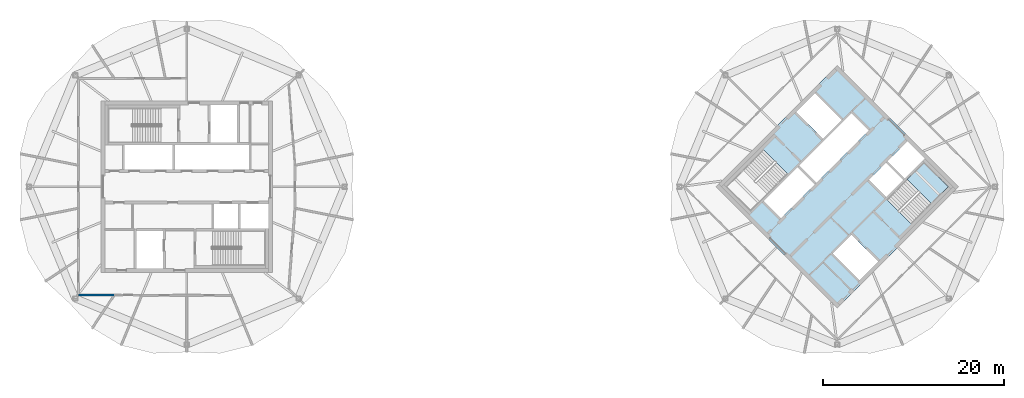
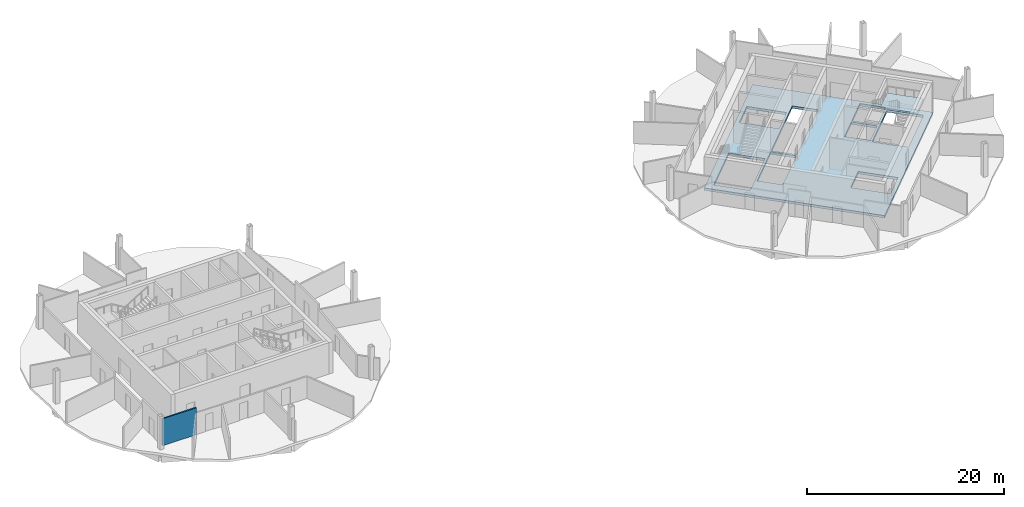
# One storey, part 4 of 11: 2 slabs, 1 wall, 1 element without a shape of its own.
"""IFC4 building model written with IfcOpenShell, lengths in metres."""

from ifc_helpers import new_model, si_unit, direction, frame, frame_2d, origin, place, context, subcontext, project, spatial, polyline, rectangle, outline, extrude, material, layer, layer_set, type_object, element, aggregate, save


model = new_model("IFC4")

# Units and contexts
model_context = context("Model", 3, precision=1e-05, world=origin(), true_north=direction((0.0, 1.0)))
body_context = subcontext(model_context, "Body", "Model", "MODEL_VIEW")
ifc_project = project(units=[si_unit("LENGTHUNIT", "METRE"), si_unit("AREAUNIT", "SQUARE_METRE"), si_unit("VOLUMEUNIT", "CUBIC_METRE"), si_unit("PLANEANGLEUNIT", "RADIAN"), si_unit("MASSUNIT", "GRAM", prefix="KILO")], contexts=[model_context])

# Site, building, storey
site_placement = place(None, origin())
site = spatial("IfcSite", under=ifc_project, at=site_placement, CompositionType="ELEMENT")
building_placement = place(site_placement, origin())
building = spatial("IfcBuilding", under=site, at=building_placement, Name="Ogive Gate Towers", CompositionType="ELEMENT")
storey_placement = place(building_placement, frame((0.0, 0.0, 289.800048828125)))
storey = spatial("IfcBuildingStorey", under=building, at=storey_placement, Name="L68", CompositionType="ELEMENT", Elevation=289.800048828125)

# Slab
ifc_material_1 = material(Name="Concrete C40/50", Category="concrete")
ifc_layer_1 = layer(ifc_material_1, 0.300048828125)
ifc_layer_set_1 = layer_set([ifc_layer_1], Name="Core slab C40/50 300 mm")
slab_type_1 = type_object("IfcSlabType", Name="Core slab C40/50 300 mm", PredefinedType="FLOOR", material=ifc_layer_set_1)
slab_1_placement = place(storey_placement, frame((0.0, 0.0, -0.300048828125)))
element("IfcSlab", 1, at=slab_1_placement, inside=storey, type_object=slab_type_1, Name="T2 L68 core slab", PredefinedType="FLOOR", context=body_context, shape_type="SweptSolid", body=[
    extrude(outline(polyline([(36.0, -13.43505859375), (22.56494140625, 0.0), (36.0, 13.43505859375), (49.43505859375, 0.0), (36.0, -13.43505859375)]), holes=[polyline([(29.777587890625, -3.500244140625), (33.525146484375, 0.24755859375), (31.615966796875, 2.15673828125), (27.868408203125, -1.591064453125), (29.777587890625, -3.500244140625)]), polyline([(31.792724609375, 2.33349609375), (33.701904296875, 0.42431640625), (39.500244140625, 6.222412109375), (37.591064453125, 8.131591796875), (31.792724609375, 2.33349609375)]), polyline([(41.3740234375, 2.651611328125), (39.500244140625, 0.77783203125), (41.409423828125, -1.13134765625), (43.283203125, 0.742431640625), (41.3740234375, 2.651611328125)]), polyline([(45.669677734375, 3.12890625), (43.760498046875, 5.0380859375), (41.55078125, 2.828369140625), (43.4599609375, 0.919189453125), (45.669677734375, 3.12890625)]), polyline([(34.408935546875, 5.30322265625), (36.4951171875, 7.389404296875), (33.542724609375, 10.34130859375), (31.456787109375, 8.255615234375), (34.408935546875, 5.30322265625)]), polyline([(35.5048828125, -7.389404296875), (38.457275390625, -10.34130859375), (40.543212890625, -8.255615234375), (37.591064453125, -5.30322265625), (35.5048828125, -7.389404296875)]), polyline([(26.40087890625, -2.70458984375), (30.512939453125, 1.406982421875), (27.80810546875, 4.11181640625), (23.6962890625, 0.0), (26.40087890625, -2.70458984375)]), polyline([(48.3037109375, 0.0), (45.59912109375, 2.70458984375), (41.487060546875, -1.406982421875), (44.19189453125, -4.11181640625), (48.3037109375, 0.0)])]), origin(), (0.0, 0.0, 1.0), 0.300048828125),
])

# Stair, slab
stair_type = type_object("IfcStairType", Name="Escape stair 1840 wide", PredefinedType="HALF_TURN_STAIR", material=ifc_material_1)
stair_placement = place(storey_placement, origin())
stair = element("IfcStair", 2, at=stair_placement, inside=storey, type_object=stair_type, Name="L68 Escape stair 2", PredefinedType="HALF_TURN_STAIR")
ifc_layer_2 = layer(ifc_material_1, 0.199951171875)
ifc_layer_set_2 = layer_set([ifc_layer_2], Name="Stair landing 200 mm")
slab_type_2 = type_object("IfcSlabType", Name="Stair landing 200 mm", PredefinedType="LANDING", material=ifc_layer_set_2)
slab_2_placement = place(storey_placement, frame((0.0, 0.0, 1.89990234375)))
slab_2 = element("IfcSlab", 3, at=slab_2_placement, type_object=slab_type_2, Name="ST2 landing 1", PredefinedType="LANDING", context=body_context, shape_type="SweptSolid", body=[
    extrude(outline(polyline([(46.413818359375, -1.8896484375), (48.3037109375, 0.0), (45.598876953125, 2.70458984375), (43.709228515625, 0.81494140625), (46.413818359375, -1.8896484375)])), origin(), (0.0, 0.0, 1.0), 0.199951171875),
])
aggregate(stair, [slab_2])

# Wall
ifc_material_2 = material(Name="Gypsum board acoustic partition")
ifc_layer_3 = layer(ifc_material_2, 0.175048828125)
ifc_layer_set_3 = layer_set([ifc_layer_3], Name="Acoustic partition 175")
wall_type = type_object("IfcWallType", Name="Acoustic partition 175", PredefinedType="PARTITIONING", material=ifc_layer_set_3)
wall_placement = place(storey_placement, frame((-47.97998046875, -11.97998046875, 0.0), z_axis=(0.0, 0.0, 1.0), x_axis=(0.999999846665, 0.000553777912, 0.0)))
element("IfcWall", 4, at=wall_placement, inside=storey, type_object=wall_type, Name="Partition T1-L68-028", PredefinedType="PARTITIONING", context=body_context, shape_type="SweptSolid", body=[
    extrude(rectangle(XDim=3.9677734375, YDim=0.175048828125, at=frame_2d((1.98388671875, 0.0))), origin(), (0.0, 0.0, 1.0), 3.349853515625),
])

save(model, "model.ifc")
